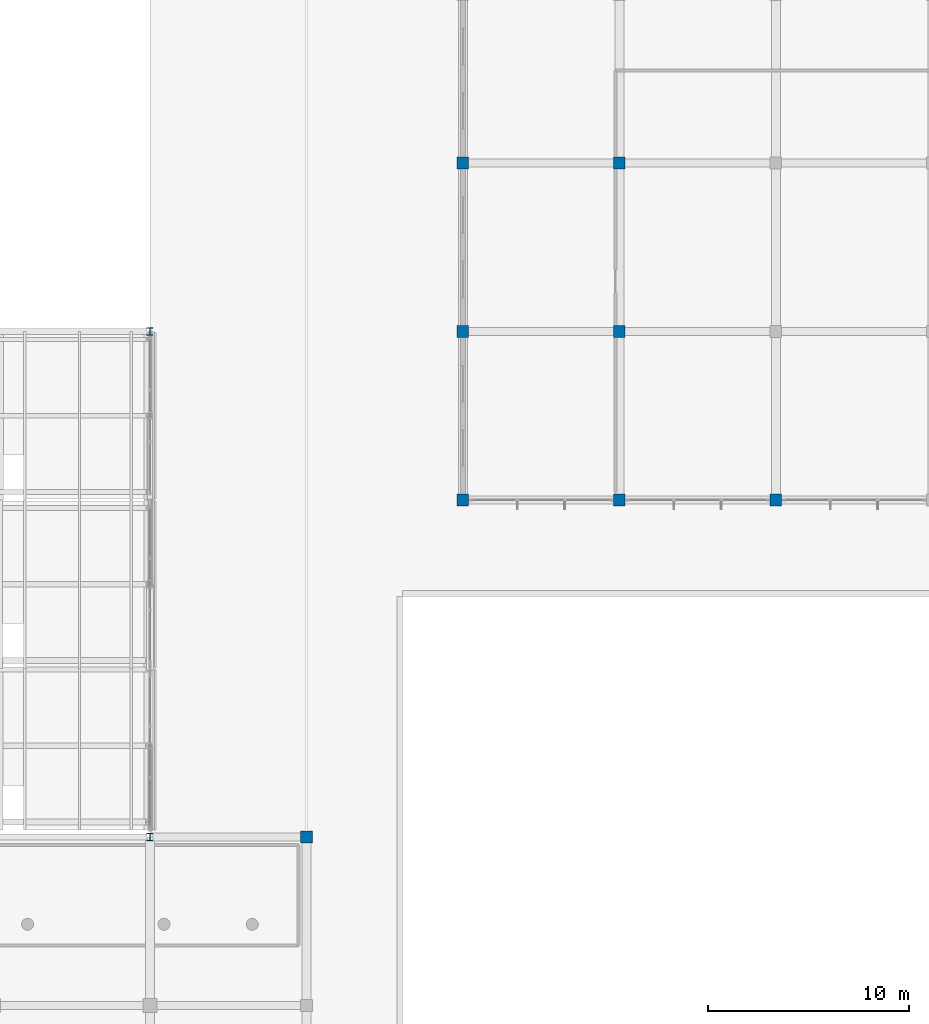
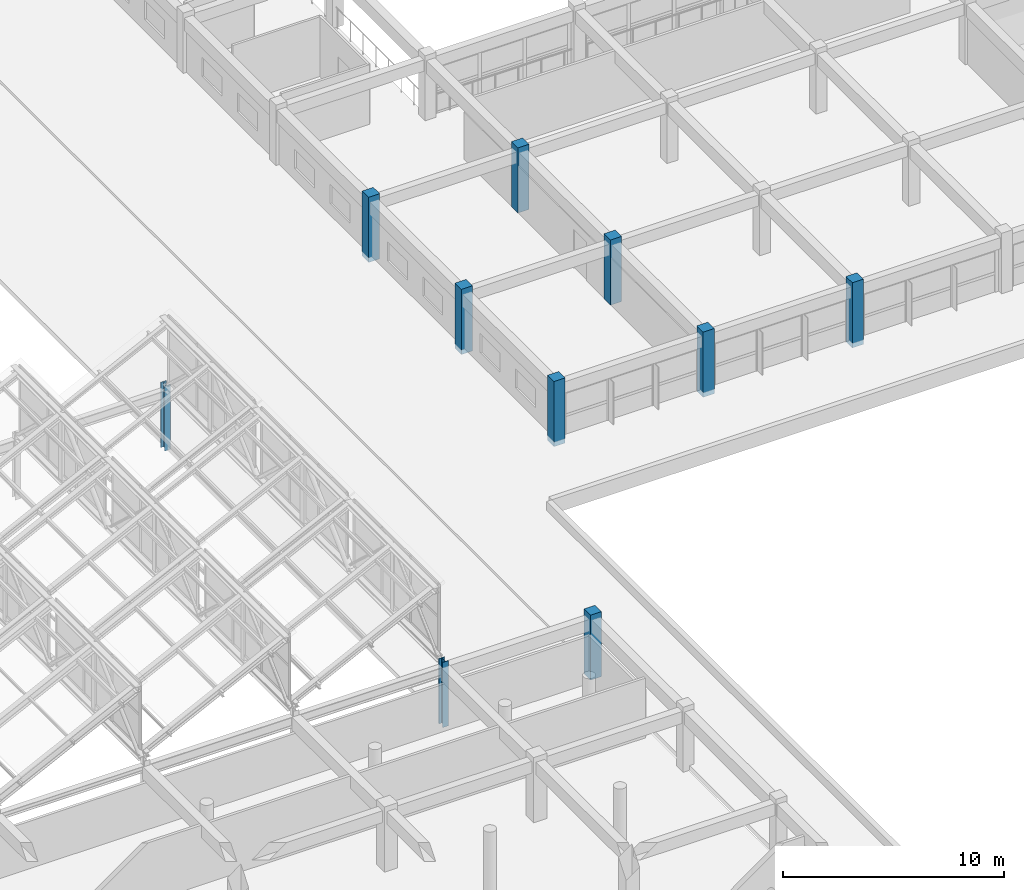
# One storey, part 7 of 101: 10 columns.
"""IFC4 building model written with IfcOpenShell, lengths in metres."""

from ifc_helpers import new_model, si_unit, direction, frame, origin, origin_2d, place, context, subcontext, project, spatial, rectangle, i_section, extrude, material, material_profile, profile_set, type_object, element, save


model = new_model("IFC4")

# Units and contexts
model_context = context("Model", 3, precision=1e-05, world=origin(), true_north=direction((0.0, 1.0)))
body_context = subcontext(model_context, "Body", "Model", "MODEL_VIEW")
ifc_project = project(units=[si_unit("LENGTHUNIT", "METRE"), si_unit("AREAUNIT", "SQUARE_METRE"), si_unit("VOLUMEUNIT", "CUBIC_METRE"), si_unit("PLANEANGLEUNIT", "RADIAN"), si_unit("MASSUNIT", "GRAM", prefix="KILO")], contexts=[model_context])

# Site, building, storey
site_placement = place(None, origin())
site = spatial("IfcSite", under=ifc_project, at=site_placement, CompositionType="ELEMENT")
building_placement = place(site_placement, origin())
building = spatial("IfcBuilding", under=site, at=building_placement, Name="Zizhar Promenade General Hospital", CompositionType="ELEMENT")
storey_placement = place(building_placement, frame((0.0, 0.0, 14.39990234375)))
storey = spatial("IfcBuildingStorey", under=building, at=storey_placement, Name="L03", CompositionType="ELEMENT", Elevation=14.39990234375)

# Columns
ifc_material_1 = material(Name="Concrete C40/50", Category="concrete")
ifc_material_profile_1 = material_profile(ifc_material_1, rectangle(XDim=0.580078125, YDim=0.580078125, at=origin_2d()))
ifc_profile_set_1 = profile_set([ifc_material_profile_1], Name="Concrete C40/50")
column_type_1 = type_object("IfcColumnType", Name="COL-RC-580", PredefinedType="COLUMN", material=ifc_profile_set_1)
for number, where, z_axis, x_axis, name in (
    (1, (132.60009765625, 25.199951171875, 0.0), (0.0, 0.0, 1.0), (1.0, 0.0, 0.0), "Column 18-D (L03)"),
    (2, (140.39990234375, 42.0, 0.0), (0.0, 0.0, 1.0), (1.0, 0.0, 0.0), "Column 19-F (L03)"),
    (3, (140.39990234375, 50.39990234375, 0.0), (0.0, 0.0, 1.0), (1.0, 0.0, 0.0), "Column 19-G (L03)"),
    (4, (140.39990234375, 58.800048828125, 0.0), (0.0, 0.0, 1.0), (1.0, 0.0, 0.0), "Column 19-H (L03)"),
    (5, (148.199951171875, 42.0, 0.0), (0.0, 0.0, 1.0), (1.0, 0.0, 0.0), "Column 20-F (L03)"),
    (6, (148.199951171875, 50.39990234375, 0.0), (0.0, 0.0, 1.0), (1.0, 0.0, 0.0), "Column 20-G (L03)"),
    (7, (148.199951171875, 58.800048828125, 0.0), (0.0, 0.0, 1.0), (1.0, 0.0, 0.0), "Column 20-H (L03)"),
    (8, (156.0, 42.0, 0.0), (0.0, 0.0, 1.0), (1.0, 0.0, 0.0), "Column 21-F (L03)"),
):
    element("IfcColumn", number, at=place(storey_placement, frame(where, z_axis=z_axis, x_axis=x_axis)), inside=storey, type_object=column_type_1, Name=name, PredefinedType="COLUMN", context=body_context, shape_type="SweptSolid", body=[
        extrude(rectangle(XDim=0.580078125, YDim=0.580078125, at=origin_2d()), origin(), (0.0, 0.0, 1.0), 3.60009765625),
    ])
ifc_material_2 = material(Name="Steel S355", Category="steel")
ifc_material_profile_2 = material_profile(ifc_material_2, i_section(OverallWidth=0.300048828125, OverallDepth=0.360107421875, WebThickness=0.012451171875, FlangeThickness=0.0224609375, FilletRadius=0.027099609375, at=origin_2d()))
ifc_profile_set_2 = profile_set([ifc_material_profile_2], Name="Steel S355")
column_type_2 = type_object("IfcColumnType", Name="COL-STL-HEB360", PredefinedType="COLUMN", material=ifc_profile_set_2)
for number, where, z_axis, x_axis, name in (
    (9, (124.800048828125, 25.199951171875, 0.0), (0.0, 0.0, 1.0), (1.0, 0.0, 0.0), "Column 17-D (L03)"),
    (10, (124.800048828125, 50.39990234375, 0.0), (0.0, 0.0, 1.0), (1.0, 0.0, 0.0), "Column 17-G (L03)"),
):
    element("IfcColumn", number, at=place(storey_placement, frame(where, z_axis=z_axis, x_axis=x_axis)), inside=storey, type_object=column_type_2, Name=name, PredefinedType="COLUMN", context=body_context, shape_type="SweptSolid", body=[
        extrude(i_section(OverallWidth=0.300048828125, OverallDepth=0.360107421875, WebThickness=0.012451171875, FlangeThickness=0.0224609375, FilletRadius=0.027099609375, at=origin_2d()), origin(), (0.0, 0.0, 1.0), 3.60009765625),
    ])

save(model, "model.ifc")
